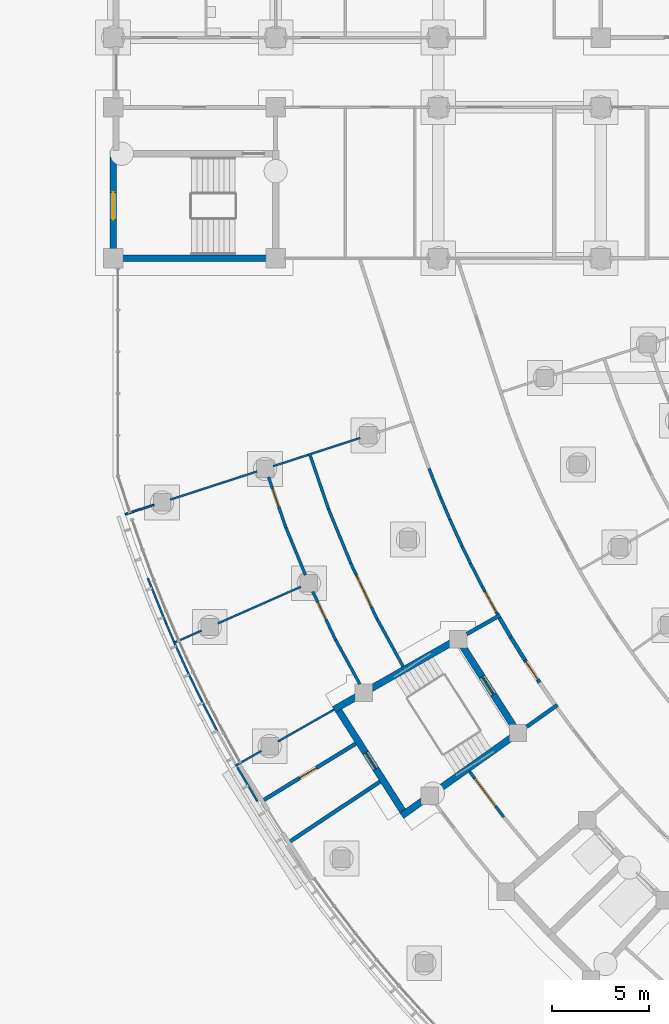
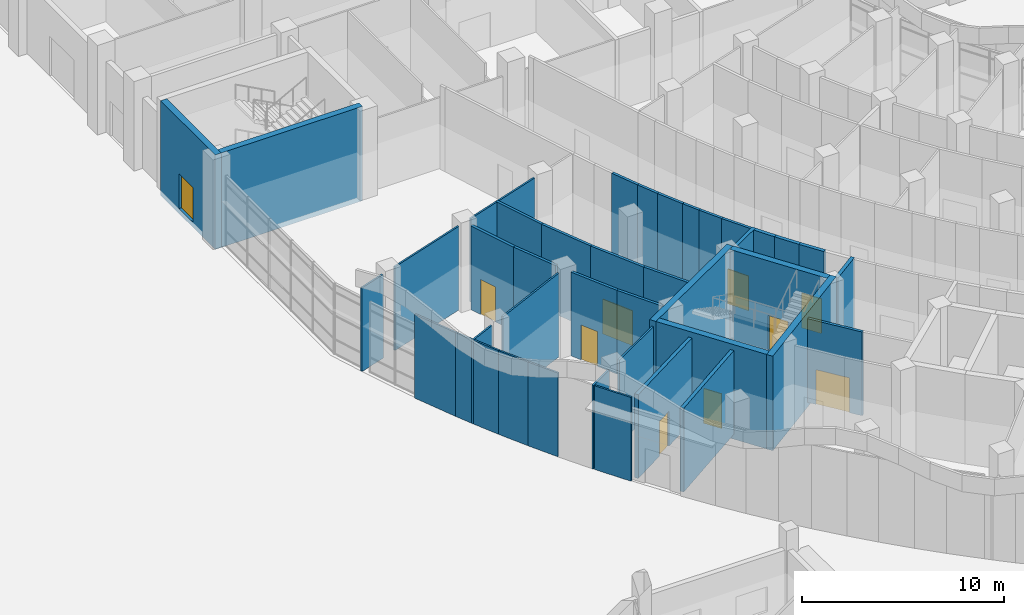
# One storey, part 64 of 146: 41 walls, 10 doors, 10 openings.
"""IFC4 building model written with IfcOpenShell, lengths in metres."""

from ifc_helpers import new_model, si_unit, direction, frame, frame_2d, origin, place, context, subcontext, project, spatial, rectangle, extrude, material, layer, layer_set, type_object, element, fill, save


model = new_model("IFC4")

# Units and contexts
model_context = context("Model", 3, precision=1e-05, world=origin(), true_north=direction((0.0, 1.0)))
body_context = subcontext(model_context, "Body", "Model", "MODEL_VIEW")
ifc_project = project(units=[si_unit("LENGTHUNIT", "METRE"), si_unit("AREAUNIT", "SQUARE_METRE"), si_unit("VOLUMEUNIT", "CUBIC_METRE"), si_unit("PLANEANGLEUNIT", "RADIAN"), si_unit("MASSUNIT", "GRAM", prefix="KILO")], contexts=[model_context])

# Site, building, storey
site_placement = place(None, origin())
site = spatial("IfcSite", under=ifc_project, at=site_placement, CompositionType="ELEMENT")
building_placement = place(site_placement, origin())
building = spatial("IfcBuilding", under=site, at=building_placement, Name="Bougainvillea Quay General Hospital", CompositionType="ELEMENT")
storey_placement = place(building_placement, origin())
storey = spatial("IfcBuildingStorey", under=building, at=storey_placement, Name="L00", CompositionType="ELEMENT", Elevation=0.0)

# Walls
ifc_material_1 = material(Name="Gypsum board partition on steel studs", Category="steel")
ifc_layer_1 = layer(ifc_material_1, 0.10009765625)
ifc_layer_set_1 = layer_set([ifc_layer_1], Name="Gypsum board partition on steel studs")
wall_type_1 = type_object("IfcWallType", Name="Partition 100 Gypsum board partition EI 30", PredefinedType="PARTITIONING", material=ifc_layer_set_1)
wall_1_placement = place(storey_placement, frame((42.6259765625, 104.368896484375, 0.0), z_axis=(0.0, 0.0, 1.0), x_axis=(0.951042089894, 0.309061390748, 0.0)))
element("IfcWall", 1, at=wall_1_placement, inside=storey, type_object=wall_type_1, Name="Partition 100 mm EI 30", PredefinedType="PARTITIONING", context=body_context, shape_type="SweptSolid", body=[
    extrude(rectangle(XDim=1.565673828125, YDim=0.10009765625, at=frame_2d((0.78271484375, 0.0))), origin(), (0.0, 0.0, 1.0), 5.050048828125),
])
wall_2_placement = place(storey_placement, frame((44.945068359375, 105.122314453125, 0.0), z_axis=(0.0, 0.0, 1.0), x_axis=(0.95107316225, 0.308965758699, 0.0)))
element("IfcWall", 2, at=wall_2_placement, inside=storey, type_object=wall_type_1, Name="Partition 100 mm EI 30", PredefinedType="PARTITIONING", context=body_context, shape_type="SweptSolid", body=[
    extrude(rectangle(XDim=4.72607421875, YDim=0.10009765625, at=frame_2d((2.363037109375, 0.0))), origin(), (0.0, 0.0, 1.0), 5.050048828125),
])
wall_3_placement = place(storey_placement, frame((50.27001953125, 106.852294921875, 0.0), z_axis=(0.0, 0.0, 1.0), x_axis=(0.951077706574, 0.308951769792, 0.0)))
element("IfcWall", 3, at=wall_3_placement, inside=storey, type_object=wall_type_1, Name="Partition 100 mm EI 30", PredefinedType="PARTITIONING", context=body_context, shape_type="SweptSolid", body=[
    extrude(rectangle(XDim=4.72705078125, YDim=0.10009765625, at=frame_2d((2.363525390625, 0.0))), origin(), (0.0, 0.0, 1.0), 5.050048828125),
])
wall_4_placement = place(storey_placement, frame((48.3125, 91.371337890625, 0.0), z_axis=(0.0, 0.0, 1.0), x_axis=(0.869234661703, 0.494399739981, 0.0)))
element("IfcWall", 4, at=wall_4_placement, inside=storey, type_object=wall_type_1, Name="Partition 100 mm EI 30", PredefinedType="PARTITIONING", context=body_context, shape_type="SweptSolid", body=[
    extrude(rectangle(XDim=1.557861328125, YDim=0.10009765625, at=frame_2d((0.77880859375, 0.0))), origin(), (0.0, 0.0, 1.0), 5.050048828125),
])
wall_5_placement = place(storey_placement, frame((50.51513671875, 92.624267578125, 0.0), z_axis=(0.0, 0.0, 1.0), x_axis=(0.869240805435, 0.494388938152, 0.0)))
element("IfcWall", 5, at=wall_5_placement, inside=storey, type_object=wall_type_1, Name="Partition 100 mm EI 30", PredefinedType="PARTITIONING", context=body_context, shape_type="SweptSolid", body=[
    extrude(rectangle(XDim=3.337158203125, YDim=0.10009765625, at=frame_2d((1.66845703125, 0.0))), origin(), (0.0, 0.0, 1.0), 5.050048828125),
])
wall_6_placement = place(storey_placement, frame((45.1171875, 97.71484375, 0.0), z_axis=(0.0, 0.0, 1.0), x_axis=(0.914854349244, 0.403784001254, 0.0)))
element("IfcWall", 6, at=wall_6_placement, inside=storey, type_object=wall_type_1, Name="Partition 100 mm EI 30", PredefinedType="PARTITIONING", context=body_context, shape_type="SweptSolid", body=[
    extrude(rectangle(XDim=1.58837890625, YDim=0.10009765625, at=frame_2d((0.794189453125, 0.0))), origin(), (0.0, 0.0, 1.0), 5.050048828125),
])
wall_7_placement = place(storey_placement, frame((47.409912109375, 98.726806640625, 0.0), z_axis=(0.0, 0.0, 1.0), x_axis=(0.914855501136, 0.403781391401, 0.0)))
element("IfcWall", 7, at=wall_7_placement, inside=storey, type_object=wall_type_1, Name="Partition 100 mm EI 30", PredefinedType="PARTITIONING", context=body_context, shape_type="SweptSolid", body=[
    extrude(rectangle(XDim=4.682861328125, YDim=0.10009765625, at=frame_2d((2.34130859375, 0.0))), origin(), (0.0, 0.0, 1.0), 5.050048828125),
])
wall_8_placement = place(storey_placement, frame((43.791015625, 101.069091796875, 0.0), z_axis=(0.0, 0.0, 1.0), x_axis=(0.374360148829, -0.927283386549, 0.0)))
element("IfcWall", 8, at=wall_8_placement, inside=storey, type_object=wall_type_1, Name="Partition 100 mm EI 30", PredefinedType="PARTITIONING", context=body_context, shape_type="SweptSolid", body=[
    extrude(rectangle(XDim=2.5498046875, YDim=0.10009765625, at=frame_2d((1.27490234375, 0.0))), origin(), (0.0, 0.0, 1.0), 5.050048828125),
])
wall_9_placement = place(storey_placement, frame((48.410888671875, 91.303466796875, 0.0), z_axis=(0.0, 0.0, 1.0), x_axis=(0.508928209529, -0.860808966929, 0.0)))
element("IfcWall", 9, at=wall_9_placement, inside=storey, type_object=wall_type_1, Name="Partition 100 mm EI 30", PredefinedType="PARTITIONING", context=body_context, shape_type="SweptSolid", body=[
    extrude(rectangle(XDim=2.067626953125, YDim=0.10009765625, at=frame_2d((1.03369140625, 0.0))), origin(), (0.0, 0.0, 1.0), 5.050048828125),
])
wall_10_placement = place(storey_placement, frame((46.5830078125, 94.71240234375, 0.0), z_axis=(0.0, 0.0, 1.0), x_axis=(0.458671346527, -0.888605984604, 0.0)))
element("IfcWall", 10, at=wall_10_placement, inside=storey, type_object=wall_type_1, Name="Partition 100 mm EI 30", PredefinedType="PARTITIONING", context=body_context, shape_type="SweptSolid", body=[
    extrude(rectangle(XDim=1.750244140625, YDim=0.10009765625, at=frame_2d((0.875, 0.0))), origin(), (0.0, 0.0, 1.0), 5.050048828125),
])
wall_11_placement = place(storey_placement, frame((45.8203125, 96.285888671875, 0.0), z_axis=(0.0, 0.0, 1.0), x_axis=(0.436858804859, -0.899530091002, 0.0)))
element("IfcWall", 11, at=wall_11_placement, inside=storey, type_object=wall_type_1, Name="Partition 100 mm EI 30", PredefinedType="PARTITIONING", context=body_context, shape_type="SweptSolid", body=[
    extrude(rectangle(XDim=1.749755859375, YDim=0.10009765625, at=frame_2d((0.875, 0.0))), origin(), (0.0, 0.0, 1.0), 5.050048828125),
])
wall_12_placement = place(storey_placement, frame((45.183837890625, 97.68896484375, 0.0), z_axis=(0.0, 0.0, 1.0), x_axis=(0.413779082593, -0.910377323316, 0.0)))
element("IfcWall", 12, at=wall_12_placement, inside=storey, type_object=wall_type_1, Name="Partition 100 mm EI 30", PredefinedType="PARTITIONING", context=body_context, shape_type="SweptSolid", body=[
    extrude(rectangle(XDim=1.541748046875, YDim=0.10009765625, at=frame_2d((0.77099609375, 0.0))), origin(), (0.0, 0.0, 1.0), 5.050048828125),
])
wall_13_placement = place(storey_placement, frame((44.746337890625, 98.7060546875, 0.0), z_axis=(0.0, 0.0, 1.0), x_axis=(0.394329278157, -0.918969216235, 0.0)))
element("IfcWall", 13, at=wall_13_placement, inside=storey, type_object=wall_type_1, Name="Partition 100 mm EI 30", PredefinedType="PARTITIONING", context=body_context, shape_type="SweptSolid", body=[
    extrude(rectangle(XDim=1.006103515625, YDim=0.10009765625, at=frame_2d((0.5029296875, 0.0))), origin(), (0.0, 0.0, 1.0), 5.050048828125),
])

# Wall, opening, door
ifc_material_2 = material(Name="Gypsum board partition on steel studs, insulated", Category="steel")
ifc_layer_2 = layer(ifc_material_2, 0.14990234375)
ifc_layer_set_2 = layer_set([ifc_layer_2], Name="Gypsum board partition on steel studs, insulated")
wall_type_2 = type_object("IfcWallType", Name="Partition 150 Gypsum board partition EI 30", PredefinedType="PARTITIONING", material=ifc_layer_set_2)
wall_14_placement = place(storey_placement, frame((50.03076171875, 106.2890625, 0.0), z_axis=(0.0, 0.0, 1.0), x_axis=(0.324824658283, -0.945774254974, 0.0)))
wall_14 = element("IfcWall", 14, at=wall_14_placement, inside=storey, type_object=wall_type_2, Name="Partition 150 mm EI 30", PredefinedType="PARTITIONING", context=body_context, shape_type="SweptSolid", body=[
    extrude(rectangle(XDim=2.78173828125, YDim=0.14990234375, at=frame_2d((1.390869140625, 0.0))), origin(), (0.0, 0.0, 1.0), 5.050048828125),
])
opening_1_placement = place(wall_14_placement, frame((0.62451171875, 0.0, 0.0)))
opening_1 = element("IfcOpeningElement", 15, at=opening_1_placement, cuts=wall_14, Name="Opening L00.256", PredefinedType="OPENING", context=body_context, shape_type="SweptSolid", body=[
    extrude(rectangle(XDim=1.0, YDim=2.10009765625, at=frame_2d((0.5, 1.050048828125))), frame((0.0, 0.0849609375, 0.0), z_axis=(0.0, -1.0, 0.0), x_axis=(1.0, 0.0, 0.0)), (0.0, 0.0, 1.0), 0.169921875),
])
ifc_material_3 = material(Name="Solid-core timber door leaf in steel frame", Category="steel")
door_type_1 = type_object("IfcDoorType", Name="Single leaf door 1000x2100 FD30S", OperationType="NOTDEFINED", PredefinedType="DOOR", material=ifc_material_3)
door_1_placement = place(opening_1_placement, frame((1.0, 0.0, 0.0), z_axis=(0.0, 0.0, 1.0), x_axis=(-1.0, 0.0, 0.0)))
door_1 = element("IfcDoor", 16, at=door_1_placement, inside=storey, type_object=door_type_1, Name="DT15 L00.256", OperationType="SINGLE_SWING_RIGHT", OverallHeight=2.10009765625, OverallWidth=1.0, PredefinedType="DOOR", context=body_context, shape_type="SweptSolid", body=[
    extrude(rectangle(XDim=1.0, YDim=2.10009765625, at=frame_2d((0.5, 1.050048828125))), frame((0.0, 0.02490234375, 0.0), z_axis=(0.0, -1.0, 0.0), x_axis=(1.0, 0.0, 0.0)), (0.0, 0.0, 1.0), 0.050048828125),
])
fill(opening_1, door_1)

wall_15_placement = place(storey_placement, frame((52.3173828125, 100.37158203125, 0.0), z_axis=(0.0, 0.0, 1.0), x_axis=(0.426699152938, -0.904393627179, 0.0)))
wall_15 = element("IfcWall", 17, at=wall_15_placement, inside=storey, type_object=wall_type_2, Name="Partition 150 mm EI 30", PredefinedType="PARTITIONING", context=body_context, shape_type="SweptSolid", body=[
    extrude(rectangle(XDim=2.762451171875, YDim=0.14990234375, at=frame_2d((1.38134765625, 0.0))), origin(), (0.0, 0.0, 1.0), 5.050048828125),
])
opening_2_placement = place(wall_15_placement, frame((0.605224609375, 0.0, 0.0)))
opening_2 = element("IfcOpeningElement", 18, at=opening_2_placement, cuts=wall_15, Name="Opening L00.255", PredefinedType="OPENING", context=body_context, shape_type="SweptSolid", body=[
    extrude(rectangle(XDim=1.0, YDim=2.10009765625, at=frame_2d((0.5, 1.050048828125))), frame((0.0, 0.0849609375, 0.0), z_axis=(0.0, -1.0, 0.0), x_axis=(1.0, 0.0, 0.0)), (0.0, 0.0, 1.0), 0.169921875),
])
door_2_placement = place(opening_2_placement, frame((1.0, 0.0, 0.0), z_axis=(0.0, 0.0, 1.0), x_axis=(-1.0, 0.0, 0.0)))
door_2 = element("IfcDoor", 19, at=door_2_placement, inside=storey, type_object=door_type_1, Name="DT15 L00.255", OperationType="SINGLE_SWING_RIGHT", OverallHeight=2.10009765625, OverallWidth=1.0, PredefinedType="DOOR", context=body_context, shape_type="SweptSolid", body=[
    extrude(rectangle(XDim=1.0, YDim=2.10009765625, at=frame_2d((0.5, 1.050048828125))), frame((0.0, 0.02490234375, 0.0), z_axis=(0.0, -1.0, 0.0), x_axis=(1.0, 0.0, 0.0)), (0.0, 0.0, 1.0), 0.050048828125),
])
fill(opening_2, door_2)

# Walls
wall_16_placement = place(storey_placement, frame((50.93701171875, 103.66357421875, 0.0), z_axis=(0.0, 0.0, 1.0), x_axis=(0.380525729279, -0.924770333302, 0.0)))
element("IfcWall", 20, at=wall_16_placement, inside=storey, type_object=wall_type_2, Name="Partition 150 mm EI 30", PredefinedType="PARTITIONING", context=body_context, shape_type="SweptSolid", body=[
    extrude(rectangle(XDim=2.630615234375, YDim=0.14990234375, at=frame_2d((1.3154296875, 0.0))), origin(), (0.0, 0.0, 1.0), 5.050048828125),
])
wall_17_placement = place(storey_placement, frame((53.497802734375, 97.87890625, 0.0), z_axis=(0.0, 0.0, 1.0), x_axis=(0.479886541842, -0.877330557407, 0.0)))
element("IfcWall", 21, at=wall_17_placement, inside=storey, type_object=wall_type_2, Name="Partition 150 mm EI 30", PredefinedType="PARTITIONING", context=body_context, shape_type="SweptSolid", body=[
    extrude(rectangle(XDim=2.61181640625, YDim=0.14990234375, at=frame_2d((1.305908203125, 0.0))), origin(), (0.0, 0.0, 1.0), 5.050048828125),
])

# Wall, opening, door
wall_18_placement = place(storey_placement, frame((54.277099609375, 101.83984375, 0.0), z_axis=(0.0, 0.0, 1.0), x_axis=(0.426790955489, -0.904350308405, 0.0)))
wall_18 = element("IfcWall", 22, at=wall_18_placement, inside=storey, type_object=wall_type_2, Name="Partition 150 mm EI 30", PredefinedType="PARTITIONING", context=body_context, shape_type="SweptSolid", body=[
    extrude(rectangle(XDim=3.193115234375, YDim=0.14990234375, at=frame_2d((1.5966796875, 0.0))), origin(), (0.0, 0.0, 1.0), 5.050048828125),
])
opening_3_placement = place(wall_18_placement, frame((0.696533203125, 0.0, 0.0)))
opening_3 = element("IfcOpeningElement", 23, at=opening_3_placement, cuts=wall_18, Name="Opening L00.219", PredefinedType="OPENING", context=body_context, shape_type="SweptSolid", body=[
    extrude(rectangle(XDim=1.800048828125, YDim=2.10009765625, at=frame_2d((0.89990234375, 1.050048828125))), frame((0.0, 0.0849609375, 0.0), z_axis=(0.0, -1.0, 0.0), x_axis=(1.0, 0.0, 0.0)), (0.0, 0.0, 1.0), 0.169921875),
])
ifc_material_4 = material(Name="Solid-core timber door leaves in steel frame", Category="steel")
door_type_2 = type_object("IfcDoorType", Name="Double leaf door 1800x2100", OperationType="DOUBLE_DOOR_SINGLE_SWING", PredefinedType="DOOR", material=ifc_material_4)
door_3_placement = place(opening_3_placement, frame((1.800048828125, 0.0, 0.0), z_axis=(0.0, 0.0, 1.0), x_axis=(-1.0, 0.0, 0.0)))
door_3 = element("IfcDoor", 24, at=door_3_placement, inside=storey, type_object=door_type_2, Name="DT08 L00.219", OperationType="DOUBLE_DOOR_SINGLE_SWING", OverallHeight=2.10009765625, OverallWidth=1.800048828125, PredefinedType="DOOR", context=body_context, shape_type="SweptSolid", body=[
    extrude(rectangle(XDim=1.800048828125, YDim=2.10009765625, at=frame_2d((0.89990234375, 1.050048828125))), frame((0.0, 0.02490234375, 0.0), z_axis=(0.0, -1.0, 0.0), x_axis=(1.0, 0.0, 0.0)), (0.0, 0.0, 1.0), 0.050048828125),
])
fill(opening_3, door_3)

# Wall
wall_19_placement = place(storey_placement, frame((53.12255859375, 104.655517578125, 0.0), z_axis=(0.0, 0.0, 1.0), x_axis=(0.380463637507, -0.92479588047, 0.0)))
element("IfcWall", 25, at=wall_19_placement, inside=storey, type_object=wall_type_2, Name="Partition 150 mm EI 30", PredefinedType="PARTITIONING", context=body_context, shape_type="SweptSolid", body=[
    extrude(rectangle(XDim=3.046875, YDim=0.14990234375, at=frame_2d((1.5234375, 0.0))), origin(), (0.0, 0.0, 1.0), 5.050048828125),
])

# Wall, opening, door
wall_20_placement = place(storey_placement, frame((60.4228515625, 91.06787109375, 0.0), z_axis=(0.0, 0.0, 1.0), x_axis=(0.600119519183, -0.799910346661, 0.0)))
wall_20 = element("IfcWall", 26, at=wall_20_placement, inside=storey, type_object=wall_type_2, Name="Partition 150 mm EI 30", PredefinedType="PARTITIONING", context=body_context, shape_type="SweptSolid", body=[
    extrude(rectangle(XDim=2.94140625, YDim=0.14990234375, at=frame_2d((1.470703125, 0.0))), origin(), (0.0, 0.0, 1.0), 5.050048828125),
])
opening_4_placement = place(wall_20_placement, frame((0.44482421875, 0.0, 0.0)))
opening_4 = element("IfcOpeningElement", 27, at=opening_4_placement, cuts=wall_20, Name="Opening L00.218", PredefinedType="OPENING", context=body_context, shape_type="SweptSolid", body=[
    extrude(rectangle(XDim=1.800048828125, YDim=2.10009765625, at=frame_2d((0.89990234375, 1.050048828125))), frame((0.0, 0.0849609375, 0.0), z_axis=(0.0, -1.0, 0.0), x_axis=(1.0, 0.0, 0.0)), (0.0, 0.0, 1.0), 0.169921875),
])
door_4_placement = place(opening_4_placement, frame((1.800048828125, 0.0, 0.0), z_axis=(0.0, 0.0, 1.0), x_axis=(-1.0, 0.0, 0.0)))
door_4 = element("IfcDoor", 28, at=door_4_placement, inside=storey, type_object=door_type_2, Name="DT08 L00.218", OperationType="DOUBLE_DOOR_SINGLE_SWING", OverallHeight=2.10009765625, OverallWidth=1.800048828125, PredefinedType="DOOR", context=body_context, shape_type="SweptSolid", body=[
    extrude(rectangle(XDim=1.800048828125, YDim=2.10009765625, at=frame_2d((0.89990234375, 1.050048828125))), frame((0.0, 0.02490234375, 0.0), z_axis=(0.0, -1.0, 0.0), x_axis=(1.0, 0.0, 0.0)), (0.0, 0.0, 1.0), 0.050048828125),
])
fill(opening_4, door_4)

# Walls
wall_21_placement = place(storey_placement, frame((55.64208984375, 98.9580078125, 0.0), z_axis=(0.0, 0.0, 1.0), x_axis=(0.479861725731, -0.877344130988, 0.0)))
element("IfcWall", 29, at=wall_21_placement, inside=storey, type_object=wall_type_2, Name="Partition 150 mm EI 30", PredefinedType="PARTITIONING", context=body_context, shape_type="SweptSolid", body=[
    extrude(rectangle(XDim=2.794677734375, YDim=0.14990234375, at=frame_2d((1.3974609375, 0.0))), origin(), (0.0, 0.0, 1.0), 5.050048828125),
])
wall_22_placement = place(storey_placement, frame((52.146728515625, 107.51025390625, 0.0), z_axis=(0.0, 0.0, 1.0), x_axis=(0.324772605422, -0.945792130844, 0.0)))
element("IfcWall", 30, at=wall_22_placement, inside=storey, type_object=wall_type_2, Name="Partition 150 mm EI 30", PredefinedType="PARTITIONING", context=body_context, shape_type="SweptSolid", body=[
    extrude(rectangle(XDim=3.021240234375, YDim=0.14990234375, at=frame_2d((1.5107421875, 0.0))), origin(), (0.0, 0.0, 1.0), 5.050048828125),
])

# Wall, opening, door
wall_23_placement = place(storey_placement, frame((61.07080078125, 100.640869140625, 0.0), z_axis=(0.0, 0.0, 1.0), x_axis=(0.481122709727, -0.876653259952, 0.0)))
wall_23 = element("IfcWall", 31, at=wall_23_placement, inside=storey, type_object=wall_type_2, Name="Partition 150 mm EI 30", PredefinedType="PARTITIONING", context=body_context, shape_type="SweptSolid", body=[
    extrude(rectangle(XDim=1.648681640625, YDim=0.14990234375, at=frame_2d((0.82421875, 0.0))), origin(), (0.0, 0.0, 1.0), 5.050048828125),
])
opening_5_placement = place(wall_23_placement, frame((0.312744140625, 0.0, 0.0)))
opening_5 = element("IfcOpeningElement", 32, at=opening_5_placement, cuts=wall_23, Name="Opening L00.233", PredefinedType="OPENING", context=body_context, shape_type="SweptSolid", body=[
    extrude(rectangle(XDim=1.199951171875, YDim=2.10009765625, at=frame_2d((0.60009765625, 1.050048828125))), frame((0.0, 0.0849609375, 0.0), z_axis=(0.0, -1.0, 0.0), x_axis=(1.0, 0.0, 0.0)), (0.0, 0.0, 1.0), 0.169921875),
])
door_type_3 = type_object("IfcDoorType", Name="Single leaf door 1200x2100", OperationType="NOTDEFINED", PredefinedType="DOOR", material=ifc_material_3)
door_5_placement = place(opening_5_placement, origin())
door_5 = element("IfcDoor", 33, at=door_5_placement, inside=storey, type_object=door_type_3, Name="DT13 L00.233", OperationType="SINGLE_SWING_RIGHT", OverallHeight=2.10009765625, OverallWidth=1.199951171875, PredefinedType="DOOR", context=body_context, shape_type="SweptSolid", body=[
    extrude(rectangle(XDim=1.199951171875, YDim=2.10009765625, at=frame_2d((0.60009765625, 1.050048828125))), frame((0.0, 0.02490234375, 0.0), z_axis=(0.0, -1.0, 0.0), x_axis=(1.0, 0.0, 0.0)), (0.0, 0.0, 1.0), 0.050048828125),
])
fill(opening_5, door_5)

# Walls
wall_24_placement = place(storey_placement, frame((58.324462890625, 106.73583984375, 0.0), z_axis=(0.0, 0.0, 1.0), x_axis=(0.367534370983, -0.930009938735, 0.0)))
element("IfcWall", 34, at=wall_24_placement, inside=storey, type_object=wall_type_2, Name="Partition 150 mm EI 30", PredefinedType="PARTITIONING", context=body_context, shape_type="SweptSolid", body=[
    extrude(rectangle(XDim=1.616943359375, YDim=0.14990234375, at=frame_2d((0.80859375, 0.0))), origin(), (0.0, 0.0, 1.0), 5.050048828125),
])
wall_25_placement = place(storey_placement, frame((59.40087890625, 104.101318359375, 0.0), z_axis=(0.0, 0.0, 1.0), x_axis=(0.415269380583, -0.909698489363, 0.0)))
element("IfcWall", 35, at=wall_25_placement, inside=storey, type_object=wall_type_2, Name="Partition 150 mm EI 30", PredefinedType="PARTITIONING", context=body_context, shape_type="SweptSolid", body=[
    extrude(rectangle(XDim=1.52978515625, YDim=0.14990234375, at=frame_2d((0.764892578125, 0.0))), origin(), (0.0, 0.0, 1.0), 5.050048828125),
])
wall_26_placement = place(storey_placement, frame((58.919677734375, 105.23486328125, 0.0), z_axis=(0.0, 0.0, 1.0), x_axis=(0.392150618993, -0.919901022949, 0.0)))
element("IfcWall", 36, at=wall_26_placement, inside=storey, type_object=wall_type_2, Name="Partition 150 mm EI 30", PredefinedType="PARTITIONING", context=body_context, shape_type="SweptSolid", body=[
    extrude(rectangle(XDim=1.2333984375, YDim=0.14990234375, at=frame_2d((0.61669921875, 0.0))), origin(), (0.0, 0.0, 1.0), 5.050048828125),
])
wall_27_placement = place(storey_placement, frame((60.461669921875, 101.831787109375, 0.0), z_axis=(0.0, 0.0, 1.0), x_axis=(0.456808582034, -0.889565016949, 0.0)))
element("IfcWall", 37, at=wall_27_placement, inside=storey, type_object=wall_type_2, Name="Partition 150 mm EI 30", PredefinedType="PARTITIONING", context=body_context, shape_type="SweptSolid", body=[
    extrude(rectangle(XDim=1.33984375, YDim=0.14990234375, at=frame_2d((0.669921875, 0.0))), origin(), (0.0, 0.0, 1.0), 5.050048828125),
])
wall_28_placement = place(storey_placement, frame((60.037109375, 102.7119140625, 0.0), z_axis=(0.0, 0.0, 1.0), x_axis=(0.43620619425, -0.899846740339, 0.0)))
element("IfcWall", 38, at=wall_28_placement, inside=storey, type_object=wall_type_2, Name="Partition 150 mm EI 30", PredefinedType="PARTITIONING", context=body_context, shape_type="SweptSolid", body=[
    extrude(rectangle(XDim=0.97900390625, YDim=0.14990234375, at=frame_2d((0.489501953125, 0.0))), origin(), (0.0, 0.0, 1.0), 5.050048828125),
])
ifc_material_5 = material(Name="Fire-rated autoclaved aerated block wall, plastered")
ifc_layer_3 = layer(ifc_material_5, 0.199951171875)
ifc_layer_set_3 = layer_set([ifc_layer_3], Name="Fire-rated autoclaved aerated block wall, plastered")
wall_type_3 = type_object("IfcWallType", Name="Partition 200 Fire-rated autoclaved aerated block wall EI 120", PredefinedType="SOLIDWALL", material=ifc_layer_set_3)
wall_29_placement = place(storey_placement, frame((51.154052734375, 87.469970703125, 0.0), z_axis=(0.0, 0.0, 1.0), x_axis=(0.833115109658, 0.553099642071, 0.0)))
element("IfcWall", 39, at=wall_29_placement, inside=storey, type_object=wall_type_3, Name="Partition 200 mm EI 120", PredefinedType="SOLIDWALL", context=body_context, shape_type="SweptSolid", body=[
    extrude(rectangle(XDim=5.565185546875, YDim=0.199951171875, at=frame_2d((2.78271484375, 0.0))), origin(), (0.0, 0.0, 1.0), 5.050048828125),
])
wall_30_placement = place(storey_placement, frame((60.2744140625, 98.1748046875, 0.0), z_axis=(0.0, 0.0, 1.0), x_axis=(0.869398915424, 0.494110843698, 0.0)))
element("IfcWall", 40, at=wall_30_placement, inside=storey, type_object=wall_type_3, Name="Partition 200 mm EI 120", PredefinedType="SOLIDWALL", context=body_context, shape_type="SweptSolid", body=[
    extrude(rectangle(XDim=1.98486328125, YDim=0.199951171875, at=frame_2d((0.992431640625, 0.0))), origin(), (0.0, 0.0, 1.0), 5.050048828125),
])
wall_31_placement = place(storey_placement, frame((63.3740234375, 93.385009765625, 0.0), z_axis=(0.0, 0.0, 1.0), x_axis=(0.814765781477, 0.579790239081, 0.0)))
element("IfcWall", 41, at=wall_31_placement, inside=storey, type_object=wall_type_3, Name="Partition 200 mm EI 120", PredefinedType="SOLIDWALL", context=body_context, shape_type="SweptSolid", body=[
    extrude(rectangle(XDim=1.947021484375, YDim=0.199951171875, at=frame_2d((0.9736328125, 0.0))), origin(), (0.0, 0.0, 1.0), 5.050048828125),
])

# Wall, opening, door
wall_32_placement = place(storey_placement, frame((63.2822265625, 96.82763671875, 0.0), z_axis=(0.0, 0.0, 1.0), x_axis=(0.54791545279, -0.836533715156, 0.0)))
wall_32 = element("IfcWall", 42, at=wall_32_placement, inside=storey, type_object=wall_type_3, Name="Partition 200 mm EI 120", PredefinedType="SOLIDWALL", context=body_context, shape_type="SweptSolid", body=[
    extrude(rectangle(XDim=1.382080078125, YDim=0.199951171875, at=frame_2d((0.69091796875, 0.0))), origin(), (0.0, 0.0, 1.0), 5.050048828125),
])
opening_6_placement = place(wall_32_placement, frame((0.10009765625, 0.0, 0.0)))
opening_6 = element("IfcOpeningElement", 43, at=opening_6_placement, cuts=wall_32, Name="Opening L00.303", PredefinedType="OPENING", context=body_context, shape_type="SweptSolid", body=[
    extrude(rectangle(XDim=1.10009765625, YDim=2.10009765625, at=frame_2d((0.550048828125, 1.050048828125))), frame((0.0, 0.10986328125, 0.0), z_axis=(0.0, -1.0, 0.0), x_axis=(1.0, 0.0, 0.0)), (0.0, 0.0, 1.0), 0.219970703125),
])
ifc_material_6 = material(Name="Steel fire door leaf in steel frame", Category="steel")
door_type_4 = type_object("IfcDoorType", Name="Steel single leaf door 1100x2100 FD60", OperationType="NOTDEFINED", PredefinedType="DOOR", material=ifc_material_6)
door_6_placement = place(opening_6_placement, frame((1.10009765625, 0.0, 0.0), z_axis=(0.0, 0.0, 1.0), x_axis=(-1.0, 0.0, 0.0)))
door_6 = element("IfcDoor", 44, at=door_6_placement, inside=storey, type_object=door_type_4, Name="DT04 L00.303", OperationType="SINGLE_SWING_RIGHT", OverallHeight=2.10009765625, OverallWidth=1.10009765625, PredefinedType="DOOR", context=body_context, shape_type="SweptSolid", body=[
    extrude(rectangle(XDim=1.10009765625, YDim=2.10009765625, at=frame_2d((0.550048828125, 1.050048828125))), frame((0.0, 0.02490234375, 0.0), z_axis=(0.0, -1.0, 0.0), x_axis=(1.0, 0.0, 0.0)), (0.0, 0.0, 1.0), 0.050048828125),
])
fill(opening_6, door_6)

# Walls
wall_33_placement = place(storey_placement, frame((62.557373046875, 98.0009765625, 0.0), z_axis=(0.0, 0.0, 1.0), x_axis=(0.526993282669, -0.849869448811, 0.0)))
element("IfcWall", 45, at=wall_33_placement, inside=storey, type_object=wall_type_3, Name="Partition 200 mm EI 120", PredefinedType="SOLIDWALL", context=body_context, shape_type="SweptSolid", body=[
    extrude(rectangle(XDim=1.381591796875, YDim=0.199951171875, at=frame_2d((0.69091796875, 0.0))), origin(), (0.0, 0.0, 1.0), 5.050048828125),
])
wall_34_placement = place(storey_placement, frame((61.964111328125, 99.0185546875, 0.0), z_axis=(0.0, 0.0, 1.0), x_axis=(0.505554921375, -0.862794425963, 0.0)))
element("IfcWall", 46, at=wall_34_placement, inside=storey, type_object=wall_type_3, Name="Partition 200 mm EI 120", PredefinedType="SOLIDWALL", context=body_context, shape_type="SweptSolid", body=[
    extrude(rectangle(XDim=1.18017578125, YDim=0.199951171875, at=frame_2d((0.590087890625, 0.0))), origin(), (0.0, 0.0, 1.0), 5.050048828125),
])

# Wall, opening, door
ifc_layer_4 = layer(ifc_material_5, 0.199951171875)
ifc_layer_set_4 = layer_set([ifc_layer_4], Name="Fire-rated autoclaved aerated block wall, plastered")
wall_type_4 = type_object("IfcWallType", Name="Partition 200 Fire-rated autoclaved aerated block wall EI 30", PredefinedType="SOLIDWALL", material=ifc_layer_set_4)
wall_35_placement = place(storey_placement, frame((49.79150390625, 89.60546875, 0.0), z_axis=(0.0, 0.0, 1.0), x_axis=(0.852773952769, 0.522280179098, 0.0)))
wall_35 = element("IfcWall", 47, at=wall_35_placement, inside=storey, type_object=wall_type_4, Name="Partition 200 mm EI 30", PredefinedType="SOLIDWALL", context=body_context, shape_type="SweptSolid", body=[
    extrude(rectangle(XDim=5.5654296875, YDim=0.199951171875, at=frame_2d((2.78271484375, 0.0))), origin(), (0.0, 0.0, 1.0), 5.050048828125),
])
opening_7_placement = place(wall_35_placement, frame((2.173095703125, 0.0, 0.0)))
opening_7 = element("IfcOpeningElement", 48, at=opening_7_placement, cuts=wall_35, Name="Opening L00.247", PredefinedType="OPENING", context=body_context, shape_type="SweptSolid", body=[
    extrude(rectangle(XDim=1.0, YDim=2.10009765625, at=frame_2d((0.5, 1.050048828125))), frame((0.0, 0.10986328125, 0.0), z_axis=(0.0, -1.0, 0.0), x_axis=(1.0, 0.0, 0.0)), (0.0, 0.0, 1.0), 0.219970703125),
])
door_type_5 = type_object("IfcDoorType", Name="Single leaf door 1000x2100 FD60", OperationType="NOTDEFINED", PredefinedType="DOOR", material=ifc_material_3)
door_7_placement = place(opening_7_placement, frame((1.0, 0.0, 0.0), z_axis=(0.0, 0.0, 1.0), x_axis=(-1.0, 0.0, 0.0)))
door_7 = element("IfcDoor", 49, at=door_7_placement, inside=storey, type_object=door_type_5, Name="DT14 L00.247", OperationType="SINGLE_SWING_RIGHT", OverallHeight=2.10009765625, OverallWidth=1.0, PredefinedType="DOOR", context=body_context, shape_type="SweptSolid", body=[
    extrude(rectangle(XDim=1.0, YDim=2.10009765625, at=frame_2d((0.5, 1.050048828125))), frame((0.0, 0.02490234375, 0.0), z_axis=(0.0, -1.0, 0.0), x_axis=(1.0, 0.0, 0.0)), (0.0, 0.0, 1.0), 0.050048828125),
])
fill(opening_7, door_7)

ifc_material_7 = material(Name="Concrete C40", Category="concrete")
ifc_layer_5 = layer(ifc_material_7, 0.35009765625)
ifc_layer_set_5 = layer_set([ifc_layer_5], Name="Concrete C40")
wall_type_5 = type_object("IfcWallType", Name="RC SHEAR WALL 350 C40", PredefinedType="SHEAR", material=ifc_layer_set_5)
wall_36_placement = place(storey_placement, frame((42.0, 117.425048828125, -0.300048828125), z_axis=(0.0, 0.0, 1.0), x_axis=(0.0, 1.0, 0.0)))
wall_36 = element("IfcWall", 50, at=wall_36_placement, inside=storey, type_object=wall_type_5, Name="Shear wall L00", PredefinedType="SHEAR", context=body_context, shape_type="SweptSolid", body=[
    extrude(rectangle(XDim=5.39990234375, YDim=0.35009765625, at=frame_2d((2.699951171875, 0.0))), origin(), (0.0, 0.0, 1.0), 5.699951171875),
])
opening_8_placement = place(wall_36_placement, frame((2.175048828125, 0.0, 0.300048828125)))
opening_8 = element("IfcOpeningElement", 51, at=opening_8_placement, cuts=wall_36, Name="Opening L00.339", PredefinedType="OPENING", context=body_context, shape_type="SweptSolid", body=[
    extrude(rectangle(XDim=1.39990234375, YDim=2.10009765625, at=frame_2d((0.699951171875, 1.050048828125))), frame((0.0, 0.18505859375, 0.0), z_axis=(0.0, -1.0, 0.0), x_axis=(1.0, 0.0, 0.0)), (0.0, 0.0, 1.0), 0.3701171875),
])
ifc_material_8 = material(Name="Steel door leaf, painted, with vision panel", Category="steel")
door_type_6 = type_object("IfcDoorType", Name="Stair discharge door 1400x2100", OperationType="SINGLE_SWING_LEFT", PredefinedType="DOOR", material=ifc_material_8)
door_8_placement = place(opening_8_placement, origin())
door_8 = element("IfcDoor", 52, at=door_8_placement, inside=storey, type_object=door_type_6, Name="Stair discharge door ST-B1", OperationType="SINGLE_SWING_LEFT", OverallHeight=2.10009765625, OverallWidth=1.39990234375, PredefinedType="DOOR", context=body_context, shape_type="SweptSolid", body=[
    extrude(rectangle(XDim=1.39990234375, YDim=2.10009765625, at=frame_2d((0.699951171875, 1.050048828125))), frame((0.0, 0.02490234375, 0.0), z_axis=(0.0, -1.0, 0.0), x_axis=(1.0, 0.0, 0.0)), (0.0, 0.0, 1.0), 0.050048828125),
])
fill(opening_8, door_8)

# Walls
wall_37_placement = place(storey_placement, frame((42.175048828125, 117.60009765625, -0.300048828125), z_axis=(0.0, 0.0, 1.0), x_axis=(1.0, 0.0, 0.0)))
element("IfcWall", 53, at=wall_37_placement, inside=storey, type_object=wall_type_5, Name="Shear wall L00", PredefinedType="SHEAR", context=body_context, shape_type="SweptSolid", body=[
    extrude(rectangle(XDim=8.050048828125, YDim=0.35009765625, at=frame_2d((4.02490234375, 0.0))), origin(), (0.0, 0.0, 1.0), 5.699951171875),
])
wall_38_placement = place(storey_placement, frame((53.415771484375, 94.2744140625, -0.300048828125), z_axis=(0.0, 0.0, 1.0), x_axis=(0.869250335475, 0.494372181941, 0.0)))
element("IfcWall", 54, at=wall_38_placement, inside=storey, type_object=wall_type_5, Name="Shear wall L00", PredefinedType="SHEAR", context=body_context, shape_type="SweptSolid", body=[
    extrude(rectangle(XDim=7.54931640625, YDim=0.35009765625, at=frame_2d((3.774658203125, 0.0))), origin(), (0.0, 0.0, 1.0), 5.699951171875),
])
wall_39_placement = place(storey_placement, frame((56.91552734375, 88.78857421875, -0.300048828125), z_axis=(0.0, 0.0, 1.0), x_axis=(0.814717690591, 0.579857814157, 0.0)))
element("IfcWall", 55, at=wall_39_placement, inside=storey, type_object=wall_type_5, Name="Shear wall L00", PredefinedType="SHEAR", context=body_context, shape_type="SweptSolid", body=[
    extrude(rectangle(XDim=7.550048828125, YDim=0.35009765625, at=frame_2d((3.77490234375, 0.0))), origin(), (0.0, 0.0, 1.0), 5.699951171875),
])

# Wall, opening, door
wall_40_placement = place(storey_placement, frame((56.9638671875, 89.03759765625, -0.300048828125), z_axis=(0.0, 0.0, 1.0), x_axis=(-0.537811796172, 0.843064927451, 0.0)))
wall_40 = element("IfcWall", 56, at=wall_40_placement, inside=storey, type_object=wall_type_5, Name="Shear wall L00", PredefinedType="SHEAR", context=body_context, shape_type="SweptSolid", body=[
    extrude(rectangle(XDim=6.13916015625, YDim=0.35009765625, at=frame_2d((3.069580078125, 0.0))), origin(), (0.0, 0.0, 1.0), 5.699951171875),
])
opening_9_placement = place(wall_40_placement, frame((2.569091796875, 0.0, 0.300048828125)))
opening_9 = element("IfcOpeningElement", 57, at=opening_9_placement, cuts=wall_40, Name="Opening L00.244", PredefinedType="OPENING", context=body_context, shape_type="SweptSolid", body=[
    extrude(rectangle(XDim=1.0, YDim=2.10009765625, at=frame_2d((0.5, 1.050048828125))), frame((0.0, 0.18505859375, 0.0), z_axis=(0.0, -1.0, 0.0), x_axis=(1.0, 0.0, 0.0)), (0.0, 0.0, 1.0), 0.3701171875),
])
door_type_7 = type_object("IfcDoorType", Name="Steel single leaf door 1000x2100 FD60", OperationType="NOTDEFINED", PredefinedType="DOOR", material=ifc_material_6)
door_9_placement = place(opening_9_placement, origin())
door_9 = element("IfcDoor", 58, at=door_9_placement, inside=storey, type_object=door_type_7, Name="DT10 L00.244", OperationType="SINGLE_SWING_LEFT", OverallHeight=2.10009765625, OverallWidth=1.0, PredefinedType="DOOR", context=body_context, shape_type="SweptSolid", body=[
    extrude(rectangle(XDim=1.0, YDim=2.10009765625, at=frame_2d((0.5, 1.050048828125))), frame((0.0, 0.02490234375, 0.0), z_axis=(0.0, -1.0, 0.0), x_axis=(1.0, 0.0, 0.0)), (0.0, 0.0, 1.0), 0.050048828125),
])
fill(opening_9, door_9)

wall_41_placement = place(storey_placement, frame((62.829833984375, 93.21240234375, -0.300048828125), z_axis=(0.0, 0.0, 1.0), x_axis=(-0.537903079352, 0.843006688718, 0.0)))
wall_41 = element("IfcWall", 59, at=wall_41_placement, inside=storey, type_object=wall_type_5, Name="Shear wall L00", PredefinedType="SHEAR", context=body_context, shape_type="SweptSolid", body=[
    extrude(rectangle(XDim=5.4091796875, YDim=0.35009765625, at=frame_2d((2.70458984375, 0.0))), origin(), (0.0, 0.0, 1.0), 5.699951171875),
])
opening_10_placement = place(wall_41_placement, frame((2.173828125, 0.0, 0.300048828125)))
opening_10 = element("IfcOpeningElement", 60, at=opening_10_placement, cuts=wall_41, Name="Opening L00.302", PredefinedType="OPENING", context=body_context, shape_type="SweptSolid", body=[
    extrude(rectangle(XDim=1.10009765625, YDim=2.10009765625, at=frame_2d((0.550048828125, 1.050048828125))), frame((0.0, 0.18505859375, 0.0), z_axis=(0.0, -1.0, 0.0), x_axis=(1.0, 0.0, 0.0)), (0.0, 0.0, 1.0), 0.3701171875),
])
door_10_placement = place(opening_10_placement, origin())
door_10 = element("IfcDoor", 61, at=door_10_placement, inside=storey, type_object=door_type_4, Name="DT04 L00.302", OperationType="SINGLE_SWING_RIGHT", OverallHeight=2.10009765625, OverallWidth=1.10009765625, PredefinedType="DOOR", context=body_context, shape_type="SweptSolid", body=[
    extrude(rectangle(XDim=1.10009765625, YDim=2.10009765625, at=frame_2d((0.550048828125, 1.050048828125))), frame((0.0, 0.02490234375, 0.0), z_axis=(0.0, -1.0, 0.0), x_axis=(1.0, 0.0, 0.0)), (0.0, 0.0, 1.0), 0.050048828125),
])
fill(opening_10, door_10)

save(model, "model.ifc")
